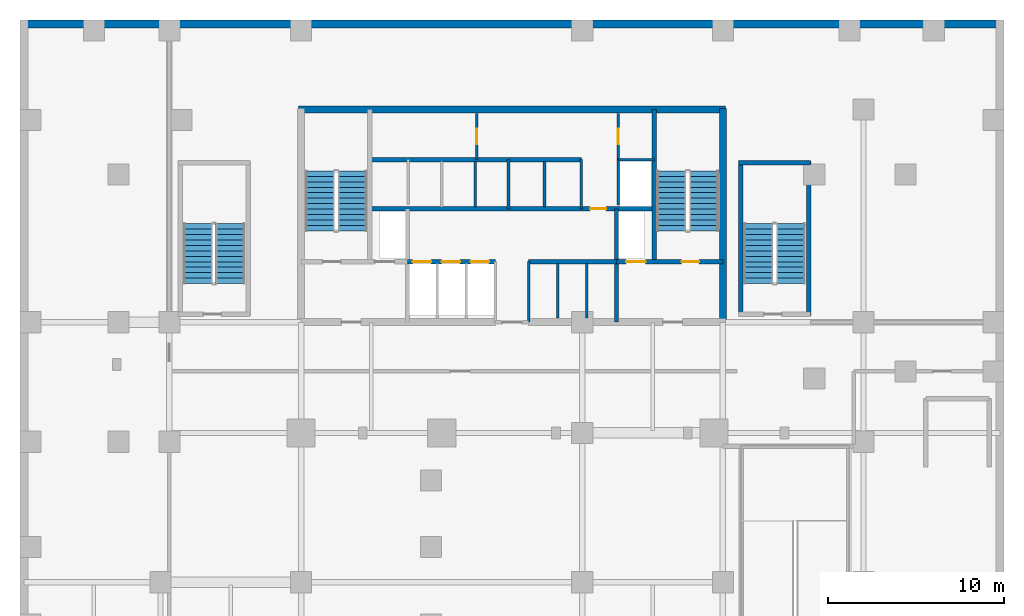
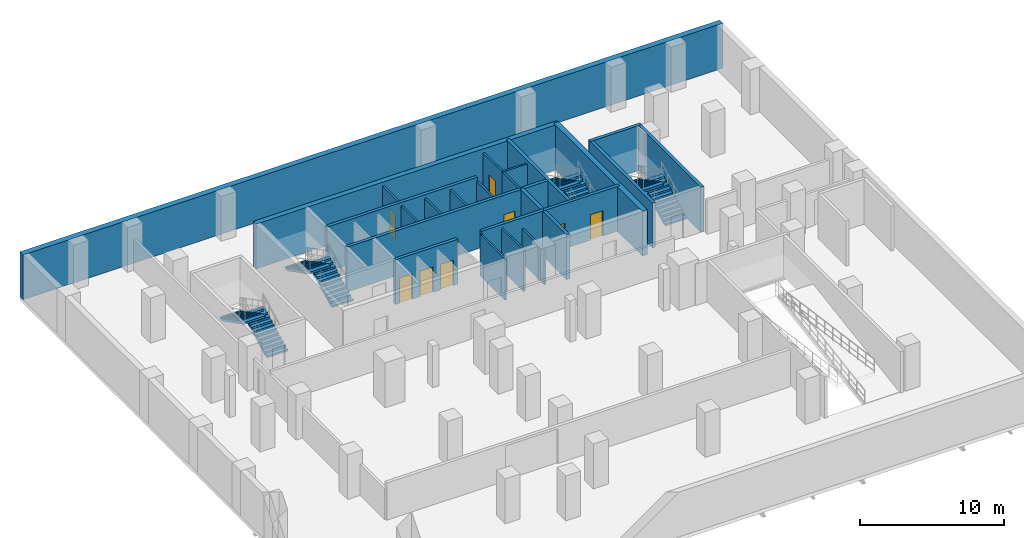
# One storey, part 3 of 5: 24 walls, 8 doors, 8 stair flights, 8 openings, 4 elements without a shape of their own.
"""IFC4 building model written with IfcOpenShell, lengths in metres."""

from ifc_helpers import new_model, si_unit, direction, frame, frame_2d, origin, place, context, subcontext, project, spatial, polyline, rectangle, outline, extrude, material, layer, layer_set, type_object, element, fill, aggregate, save


model = new_model("IFC4")

# Units and contexts
model_context = context("Model", 3, precision=1e-05, world=origin(), true_north=direction((0.0, 1.0)))
body_context = subcontext(model_context, "Body", "Model", "MODEL_VIEW")
ifc_project = project(units=[si_unit("LENGTHUNIT", "METRE"), si_unit("AREAUNIT", "SQUARE_METRE"), si_unit("VOLUMEUNIT", "CUBIC_METRE"), si_unit("PLANEANGLEUNIT", "RADIAN"), si_unit("MASSUNIT", "GRAM", prefix="KILO")], contexts=[model_context])

# Site, building, storey
site_placement = place(None, origin())
site = spatial("IfcSite", under=ifc_project, at=site_placement, CompositionType="ELEMENT")
building_placement = place(site_placement, origin())
building = spatial("IfcBuilding", under=site, at=building_placement, Name="Catumbela Crestline Tower", CompositionType="ELEMENT")
storey_placement = place(building_placement, frame((0.0, 0.0, -9.4)))
storey = spatial("IfcBuildingStorey", under=building, at=storey_placement, Name="B02", CompositionType="ELEMENT", Elevation=-9.4)

# Walls
ifc_material_1 = material(Name="Concrete C50/60", Category="concrete")
ifc_layer_1 = layer(ifc_material_1, 0.25, Name="Concrete C50/60")
ifc_layer_set_1 = layer_set([ifc_layer_1], Name="Concrete C50/60")
wall_type_1 = type_object("IfcWallType", Name="CW-250D", PredefinedType="SHEAR", material=ifc_layer_set_1)
wall_1_placement = place(storey_placement, frame((36.1, 34.25, 0.0), z_axis=(0.0, 0.0, 1.0), x_axis=(0.0, 1.0, 0.0)))
element("IfcWall", 1, at=wall_1_placement, inside=storey, type_object=wall_type_1, Name="B02 Structural Core Shear Wall EWEB", PredefinedType="SHEAR", context=body_context, shape_type="SweptSolid", body=[
    extrude(rectangle(XDim=8.65, YDim=0.25, at=frame_2d((4.325, 0.0))), origin(), (0.0, 0.0, 1.0), 3.8),
])
wall_2_placement = place(storey_placement, frame((33.95, 30.8, 0.0), z_axis=(0.0, 0.0, 1.0), x_axis=(0.0, 1.0, 0.0)))
element("IfcWall", 2, at=wall_2_placement, inside=storey, type_object=wall_type_1, Name="B02 Structural Core Shear Wall FFE", PredefinedType="SHEAR", context=body_context, shape_type="SweptSolid", body=[
    extrude(rectangle(XDim=6.45, YDim=0.25, at=frame_2d((3.225, 0.0))), origin(), (0.0, 0.0, 1.0), 3.8),
])

# Wall, openings, doors
wall_3_placement = place(storey_placement, frame((33.95, 34.25, 0.0), z_axis=(0.0, 0.0, 1.0), x_axis=(1.0, 0.0, 0.0)))
wall_3 = element("IfcWall", 3, at=wall_3_placement, inside=storey, type_object=wall_type_1, Name="B02 Structural Core Shear Wall ST2S", PredefinedType="SHEAR", context=body_context, shape_type="SweptSolid", body=[
    extrude(rectangle(XDim=6.05, YDim=0.25, at=frame_2d((3.025, 0.0))), origin(), (0.0, 0.0, 1.0), 3.8),
])
opening_1_placement = place(wall_3_placement, frame((3.7, 0.0, 0.0)))
opening_1 = element("IfcOpeningElement", 4, at=opening_1_placement, cuts=wall_3, Name="Opening DF9-100", PredefinedType="OPENING", context=body_context, shape_type="SweptSolid", body=[
    extrude(rectangle(XDim=1.0, YDim=2.15, at=frame_2d((0.5, 1.075))), frame((0.0, 0.135, 0.0), z_axis=(0.0, -1.0, 0.0), x_axis=(1.0, 0.0, 0.0)), (0.0, 0.0, 1.0), 0.27),
])
opening_2_placement = place(wall_3_placement, frame((0.55, 0.0, 0.0)))
opening_2 = element("IfcOpeningElement", 5, at=opening_2_placement, cuts=wall_3, Name="Opening LD-110", PredefinedType="OPENING", context=body_context, shape_type="SweptSolid", body=[
    extrude(rectangle(XDim=1.1, YDim=2.15, at=frame_2d((0.55, 1.075))), frame((0.0, 0.135, 0.0), z_axis=(0.0, -1.0, 0.0), x_axis=(1.0, 0.0, 0.0)), (0.0, 0.0, 1.0), 0.27),
])
ifc_material_2 = material(Name="Stainless steel EN 1.4401", Category="steel")
door_type_1 = type_object("IfcDoorType", Name="DF9-100", OperationType="NOTDEFINED", PredefinedType="DOOR", material=ifc_material_2)
door_1_placement = place(opening_1_placement, origin())
door_1 = element("IfcDoor", 6, at=door_1_placement, inside=storey, type_object=door_type_1, Name="B02 Interior Door DR-B02-ST02", OperationType="SINGLE_SWING_RIGHT", OverallHeight=2.15, OverallWidth=1.0, PredefinedType="DOOR", context=body_context, shape_type="SweptSolid", body=[
    extrude(rectangle(XDim=1.0, YDim=2.15, at=frame_2d((0.5, 1.075))), frame((0.0, 0.025, 0.0), z_axis=(0.0, -1.0, 0.0), x_axis=(1.0, 0.0, 0.0)), (0.0, 0.0, 1.0), 0.05),
])
fill(opening_1, door_1)
door_type_2 = type_object("IfcDoorType", Name="LD-110", OperationType="NOTDEFINED", PredefinedType="DOOR", material=ifc_material_2)
door_2_placement = place(opening_2_placement, origin())
door_2 = element("IfcDoor", 7, at=door_2_placement, inside=storey, type_object=door_type_2, Name="B02 Lift Landing Sliding Door FL-02", OperationType="DOUBLE_DOOR_SLIDING", OverallHeight=2.15, OverallWidth=1.1, PredefinedType="DOOR", context=body_context, shape_type="SweptSolid", body=[
    extrude(rectangle(XDim=1.1, YDim=2.15, at=frame_2d((0.55, 1.075))), frame((0.0, 0.025, 0.0), z_axis=(0.0, -1.0, 0.0), x_axis=(1.0, 0.0, 0.0)), (0.0, 0.0, 1.0), 0.05),
])
fill(opening_2, door_2)

wall_4_placement = place(storey_placement, frame((22.05, 34.25, 0.0), z_axis=(0.0, 0.0, 1.0), x_axis=(1.0, 0.0, 0.0)))
wall_4 = element("IfcWall", 8, at=wall_4_placement, inside=storey, type_object=wall_type_1, Name="B02 Structural Core Shear Wall LIFTS-W", PredefinedType="SHEAR", context=body_context, shape_type="SweptSolid", body=[
    extrude(rectangle(XDim=5.0, YDim=0.25, at=frame_2d((2.5, 0.0))), origin(), (0.0, 0.0, 1.0), 3.8),
])
opening_3_placement = place(wall_4_placement, frame((0.3, 0.0, 0.0)))
opening_3 = element("IfcOpeningElement", 9, at=opening_3_placement, cuts=wall_4, Name="Opening LD-105", PredefinedType="OPENING", context=body_context, shape_type="SweptSolid", body=[
    extrude(rectangle(XDim=1.05, YDim=2.15, at=frame_2d((0.525, 1.075))), frame((0.0, 0.135, 0.0), z_axis=(0.0, -1.0, 0.0), x_axis=(1.0, 0.0, 0.0)), (0.0, 0.0, 1.0), 0.27),
])
opening_4_placement = place(wall_4_placement, frame((1.95, 0.0, 0.0)))
opening_4 = element("IfcOpeningElement", 10, at=opening_4_placement, cuts=wall_4, Name="Opening LD-105", PredefinedType="OPENING", context=body_context, shape_type="SweptSolid", body=[
    extrude(rectangle(XDim=1.05, YDim=2.15, at=frame_2d((0.525, 1.075))), frame((0.0, 0.135, 0.0), z_axis=(0.0, -1.0, 0.0), x_axis=(1.0, 0.0, 0.0)), (0.0, 0.0, 1.0), 0.27),
])
opening_5_placement = place(wall_4_placement, frame((3.6, 0.0, 0.0)))
opening_5 = element("IfcOpeningElement", 11, at=opening_5_placement, cuts=wall_4, Name="Opening LD-105", PredefinedType="OPENING", context=body_context, shape_type="SweptSolid", body=[
    extrude(rectangle(XDim=1.05, YDim=2.15, at=frame_2d((0.525, 1.075))), frame((0.0, 0.135, 0.0), z_axis=(0.0, -1.0, 0.0), x_axis=(1.0, 0.0, 0.0)), (0.0, 0.0, 1.0), 0.27),
])
door_type_3 = type_object("IfcDoorType", Name="LD-105", OperationType="NOTDEFINED", PredefinedType="DOOR", material=ifc_material_2)
door_3_placement = place(opening_3_placement, origin())
door_3 = element("IfcDoor", 12, at=door_3_placement, inside=storey, type_object=door_type_3, Name="B02 Lift Landing Sliding Door PL-L1", OperationType="DOUBLE_DOOR_SLIDING", OverallHeight=2.15, OverallWidth=1.05, PredefinedType="DOOR", context=body_context, shape_type="SweptSolid", body=[
    extrude(rectangle(XDim=1.05, YDim=2.15, at=frame_2d((0.525, 1.075))), frame((0.0, 0.025, 0.0), z_axis=(0.0, -1.0, 0.0), x_axis=(1.0, 0.0, 0.0)), (0.0, 0.0, 1.0), 0.05),
])
fill(opening_3, door_3)
door_4_placement = place(opening_4_placement, origin())
door_4 = element("IfcDoor", 13, at=door_4_placement, inside=storey, type_object=door_type_3, Name="B02 Lift Landing Sliding Door PL-L2", OperationType="DOUBLE_DOOR_SLIDING", OverallHeight=2.15, OverallWidth=1.05, PredefinedType="DOOR", context=body_context, shape_type="SweptSolid", body=[
    extrude(rectangle(XDim=1.05, YDim=2.15, at=frame_2d((0.525, 1.075))), frame((0.0, 0.025, 0.0), z_axis=(0.0, -1.0, 0.0), x_axis=(1.0, 0.0, 0.0)), (0.0, 0.0, 1.0), 0.05),
])
fill(opening_4, door_4)
door_5_placement = place(opening_5_placement, origin())
door_5 = element("IfcDoor", 14, at=door_5_placement, inside=storey, type_object=door_type_3, Name="B02 Lift Landing Sliding Door PL-L3", OperationType="DOUBLE_DOOR_SLIDING", OverallHeight=2.15, OverallWidth=1.05, PredefinedType="DOOR", context=body_context, shape_type="SweptSolid", body=[
    extrude(rectangle(XDim=1.05, YDim=2.15, at=frame_2d((0.525, 1.075))), frame((0.0, 0.025, 0.0), z_axis=(0.0, -1.0, 0.0), x_axis=(1.0, 0.0, 0.0)), (0.0, 0.0, 1.0), 0.05),
])
fill(opening_5, door_5)

# Wall
wall_5_placement = place(storey_placement, frame((28.95, 34.25, 0.0), z_axis=(0.0, 0.0, 1.0), x_axis=(1.0, 0.0, 0.0)))
element("IfcWall", 15, at=wall_5_placement, inside=storey, type_object=wall_type_1, Name="B02 Structural Core Shear Wall LIFTS-E", PredefinedType="SHEAR", context=body_context, shape_type="SweptSolid", body=[
    extrude(rectangle(XDim=5.0, YDim=0.25, at=frame_2d((2.5, 0.0))), origin(), (0.0, 0.0, 1.0), 3.8),
])

# Wall, opening, door
wall_6_placement = place(storey_placement, frame((19.9, 37.25, 0.0), z_axis=(0.0, 0.0, 1.0), x_axis=(1.0, 0.0, 0.0)))
wall_6 = element("IfcWall", 16, at=wall_6_placement, inside=storey, type_object=wall_type_1, Name="B02 Structural Core Shear Wall LIFTN", PredefinedType="SHEAR", context=body_context, shape_type="SweptSolid", body=[
    extrude(rectangle(XDim=16.2, YDim=0.25, at=frame_2d((8.1, 0.0))), origin(), (0.0, 0.0, 1.0), 3.8),
])
opening_6_placement = place(wall_6_placement, frame((12.55, 0.0, 0.0)))
opening_6 = element("IfcOpeningElement", 17, at=opening_6_placement, cuts=wall_6, Name="Opening DF9-090", PredefinedType="OPENING", context=body_context, shape_type="SweptSolid", body=[
    extrude(rectangle(XDim=0.9, YDim=2.15, at=frame_2d((0.45, 1.075))), frame((0.0, 0.135, 0.0), z_axis=(0.0, -1.0, 0.0), x_axis=(1.0, 0.0, 0.0)), (0.0, 0.0, 1.0), 0.27),
])
door_type_4 = type_object("IfcDoorType", Name="DF9-090", OperationType="NOTDEFINED", PredefinedType="DOOR", material=ifc_material_2)
door_6_placement = place(opening_6_placement, origin())
door_6 = element("IfcDoor", 18, at=door_6_placement, inside=storey, type_object=door_type_4, Name="B02 Interior Door DR-B02-CPAS1", OperationType="SINGLE_SWING_LEFT", OverallHeight=2.15, OverallWidth=0.9, PredefinedType="DOOR", context=body_context, shape_type="SweptSolid", body=[
    extrude(rectangle(XDim=0.9, YDim=2.15, at=frame_2d((0.45, 1.075))), frame((0.0, 0.025, 0.0), z_axis=(0.0, -1.0, 0.0), x_axis=(1.0, 0.0, 0.0)), (0.0, 0.0, 1.0), 0.05),
])
fill(opening_6, door_6)

# Walls
wall_7_placement = place(storey_placement, frame((19.9, 40.05, 0.0), z_axis=(0.0, 0.0, 1.0), x_axis=(1.0, 0.0, 0.0)))
element("IfcWall", 19, at=wall_7_placement, inside=storey, type_object=wall_type_1, Name="B02 Structural Core Shear Wall COREN", PredefinedType="SHEAR", context=body_context, shape_type="SweptSolid", body=[
    extrude(rectangle(XDim=12.05, YDim=0.25, at=frame_2d((6.025, 0.0))), origin(), (0.0, 0.0, 1.0), 3.8),
])
for number, where, z_axis, x_axis, name in (
    (20, (41.02, 31.15, 0.0), (0.0, 0.0, 1.0), (0.0, 1.0, 0.0), "B02 Structural Core Shear Wall ST4W"),
    (21, (44.88, 31.15, 0.0), (0.0, 0.0, 1.0), (0.0, 1.0, 0.0), "B02 Structural Core Shear Wall ST4E"),
):
    element("IfcWall", number, at=place(storey_placement, frame(where, z_axis=z_axis, x_axis=x_axis)), inside=storey, type_object=wall_type_1, Name=name, PredefinedType="SHEAR", context=body_context, shape_type="SweptSolid", body=[
        extrude(rectangle(XDim=8.8, YDim=0.25, at=frame_2d((4.4, 0.0))), origin(), (0.0, 0.0, 1.0), 3.8),
    ])
wall_8_placement = place(storey_placement, frame((40.9, 39.88, 0.0), z_axis=(0.0, 0.0, 1.0), x_axis=(1.0, 0.0, 0.0)))
element("IfcWall", 22, at=wall_8_placement, inside=storey, type_object=wall_type_1, Name="B02 Structural Core Shear Wall ST4N", PredefinedType="SHEAR", context=body_context, shape_type="SweptSolid", body=[
    extrude(rectangle(XDim=4.1, YDim=0.25, at=frame_2d((2.05, 0.0))), origin(), (0.0, 0.0, 1.0), 3.8),
])
ifc_material_3 = material(Name="Concrete C60/75", Category="concrete")
ifc_layer_2 = layer(ifc_material_3, 0.4, Name="Concrete C60/75")
ifc_layer_set_2 = layer_set([ifc_layer_2], Name="Concrete C60/75")
wall_type_2 = type_object("IfcWallType", Name="CW-400A", PredefinedType="SHEAR", material=ifc_layer_set_2)
wall_9_placement = place(storey_placement, frame((40.0, 30.65, 0.0), z_axis=(0.0, 0.0, 1.0), x_axis=(0.0, 1.0, 0.0)))
element("IfcWall", 23, at=wall_9_placement, inside=storey, type_object=wall_type_2, Name="B02 Structural Core Shear Wall E", PredefinedType="SHEAR", context=body_context, shape_type="SweptSolid", body=[
    extrude(rectangle(XDim=12.3, YDim=0.4, at=frame_2d((6.15, 0.0))), origin(), (0.0, 0.0, 1.0), 3.8),
])
wall_10_placement = place(storey_placement, frame((15.85, 42.9, 0.0), z_axis=(0.0, 0.0, 1.0), x_axis=(1.0, 0.0, 0.0)))
element("IfcWall", 24, at=wall_10_placement, inside=storey, type_object=wall_type_2, Name="B02 Structural Core Shear Wall N", PredefinedType="SHEAR", context=body_context, shape_type="SweptSolid", body=[
    extrude(rectangle(XDim=24.3, YDim=0.4, at=frame_2d((12.15, 0.0))), origin(), (0.0, 0.0, 1.0), 3.8),
])
ifc_material_4 = material(Name="Acoustic gypsum and mineral-wool partition")
ifc_layer_3 = layer(ifc_material_4, 0.15, Name="Acoustic gypsum and mineral-wool partition")
ifc_layer_set_3 = layer_set([ifc_layer_3], Name="Acoustic gypsum and mineral-wool partition")
wall_type_3 = type_object("IfcWallType", Name="WP-150", PredefinedType="PARTITIONING", material=ifc_layer_set_3)
wall_11_placement = place(storey_placement, frame((34.05, 40.05, 0.0), z_axis=(0.0, 0.0, 1.0), x_axis=(1.0, 0.0, 0.0)))
element("IfcWall", 25, at=wall_11_placement, inside=storey, type_object=wall_type_3, Name="B02 Interior Partition PW-B02-CR-ES", PredefinedType="PARTITIONING", context=body_context, shape_type="SweptSolid", body=[
    extrude(rectangle(XDim=2.05, YDim=0.15, at=frame_2d((1.025, 0.0))), origin(), (0.0, 0.0, 1.0), 3.49),
])

# Wall, opening, door
wall_12_placement = place(storey_placement, frame((34.05, 40.05, 0.0), z_axis=(0.0, 0.0, 1.0), x_axis=(0.0, 1.0, 0.0)))
wall_12 = element("IfcWall", 26, at=wall_12_placement, inside=storey, type_object=wall_type_3, Name="B02 Interior Partition PW-B02-CR-EW", PredefinedType="PARTITIONING", context=body_context, shape_type="SweptSolid", body=[
    extrude(rectangle(XDim=2.63, YDim=0.15, at=frame_2d((1.315, 0.0))), origin(), (0.0, 0.0, 1.0), 3.49),
])
opening_7_placement = place(wall_12_placement, frame((0.865, 0.0, 0.0)))
opening_7 = element("IfcOpeningElement", 27, at=opening_7_placement, cuts=wall_12, Name="Opening DF9-090", PredefinedType="OPENING", context=body_context, shape_type="SweptSolid", body=[
    extrude(rectangle(XDim=0.9, YDim=2.15, at=frame_2d((0.45, 1.075))), frame((0.0, 0.085, 0.0), z_axis=(0.0, -1.0, 0.0), x_axis=(1.0, 0.0, 0.0)), (0.0, 0.0, 1.0), 0.17),
])
door_7_placement = place(opening_7_placement, origin())
door_7 = element("IfcDoor", 28, at=door_7_placement, inside=storey, type_object=door_type_4, Name="B02 Interior Door DR-B02-CREAST", OperationType="SINGLE_SWING_RIGHT", OverallHeight=2.15, OverallWidth=0.9, PredefinedType="DOOR", context=body_context, shape_type="SweptSolid", body=[
    extrude(rectangle(XDim=0.9, YDim=2.15, at=frame_2d((0.45, 1.075))), frame((0.0, 0.025, 0.0), z_axis=(0.0, -1.0, 0.0), x_axis=(1.0, 0.0, 0.0)), (0.0, 0.0, 1.0), 0.05),
])
fill(opening_7, door_7)

wall_13_placement = place(storey_placement, frame((26.0, 40.05, 0.0), z_axis=(0.0, 0.0, 1.0), x_axis=(0.0, 1.0, 0.0)))
wall_13 = element("IfcWall", 29, at=wall_13_placement, inside=storey, type_object=wall_type_3, Name="B02 Interior Partition PW-B02-CR-WW", PredefinedType="PARTITIONING", context=body_context, shape_type="SweptSolid", body=[
    extrude(rectangle(XDim=2.63, YDim=0.15, at=frame_2d((1.315, 0.0))), origin(), (0.0, 0.0, 1.0), 3.49),
])
opening_8_placement = place(wall_13_placement, frame((0.865, 0.0, 0.0)))
opening_8 = element("IfcOpeningElement", 30, at=opening_8_placement, cuts=wall_13, Name="Opening DF9-090", PredefinedType="OPENING", context=body_context, shape_type="SweptSolid", body=[
    extrude(rectangle(XDim=0.9, YDim=2.15, at=frame_2d((0.45, 1.075))), frame((0.0, 0.085, 0.0), z_axis=(0.0, -1.0, 0.0), x_axis=(1.0, 0.0, 0.0)), (0.0, 0.0, 1.0), 0.17),
])
door_8_placement = place(opening_8_placement, origin())
door_8 = element("IfcDoor", 31, at=door_8_placement, inside=storey, type_object=door_type_4, Name="B02 Interior Door DR-B02-CRWEST", OperationType="SINGLE_SWING_LEFT", OverallHeight=2.15, OverallWidth=0.9, PredefinedType="DOOR", context=body_context, shape_type="SweptSolid", body=[
    extrude(rectangle(XDim=0.9, YDim=2.15, at=frame_2d((0.45, 1.075))), frame((0.0, 0.025, 0.0), z_axis=(0.0, -1.0, 0.0), x_axis=(1.0, 0.0, 0.0)), (0.0, 0.0, 1.0), 0.05),
])
fill(opening_8, door_8)

# Walls
ifc_layer_4 = layer(ifc_material_1, 0.45, Name="Concrete C50/60")
ifc_layer_set_4 = layer_set([ifc_layer_4], Name="Concrete C50/60")
wall_type_4 = type_object("IfcWallType", Name="RW-450", PredefinedType="USERDEFINED", material=ifc_layer_set_4)
wall_14_placement = place(storey_placement, frame((0.0, 47.775, 0.0), z_axis=(0.0, 0.0, 1.0), x_axis=(1.0, 0.0, 0.0)))
element("IfcWall", 32, at=wall_14_placement, inside=storey, type_object=wall_type_4, Name="B02 Perimeter Diaphragm Retaining Wall N", ObjectType="RETAINING", PredefinedType="USERDEFINED", context=body_context, shape_type="SweptSolid", body=[
    extrude(rectangle(XDim=56.0, YDim=0.45, at=frame_2d((28.0, 0.0))), origin(), (0.0, 0.0, 1.0), 3.8),
])
ifc_layer_5 = layer(ifc_material_4, 0.15, Name="Acoustic gypsum and mineral-wool partition")
ifc_layer_set_5 = layer_set([ifc_layer_5], Name="Acoustic gypsum and mineral-wool partition")
wall_type_5 = type_object("IfcWallType", Name="WS-150", PredefinedType="PLUMBINGWALL", material=ifc_layer_set_5)
wall_15_placement = place(storey_placement, frame((28.95, 30.8, 0.0), z_axis=(0.0, 0.0, 1.0), x_axis=(0.0, 1.0, 0.0)))
element("IfcWall", 33, at=wall_15_placement, inside=storey, type_object=wall_type_5, Name="B02 Interior Partition PW-B02-THRE", PredefinedType="PLUMBINGWALL", context=body_context, shape_type="SweptSolid", body=[
    extrude(rectangle(XDim=3.45, YDim=0.15, at=frame_2d((1.725, 0.0))), origin(), (0.0, 0.0, 1.0), 3.49),
])
wall_16_placement = place(storey_placement, frame((30.6, 31.05, 0.0), z_axis=(0.0, 0.0, 1.0), x_axis=(0.0, 1.0, 0.0)))
element("IfcWall", 34, at=wall_16_placement, inside=storey, type_object=wall_type_5, Name="B02 Interior Partition PW-B02-SHM1", PredefinedType="PLUMBINGWALL", context=body_context, shape_type="SweptSolid", body=[
    extrude(rectangle(XDim=3.1, YDim=0.15, at=frame_2d((1.55, 0.0))), origin(), (0.0, 0.0, 1.0), 3.49),
])
wall_17_placement = place(storey_placement, frame((32.25, 31.05, 0.0), z_axis=(0.0, 0.0, 1.0), x_axis=(0.0, 1.0, 0.0)))
element("IfcWall", 35, at=wall_17_placement, inside=storey, type_object=wall_type_5, Name="B02 Interior Partition PW-B02-SHM2", PredefinedType="PLUMBINGWALL", context=body_context, shape_type="SweptSolid", body=[
    extrude(rectangle(XDim=3.1, YDim=0.15, at=frame_2d((1.55, 0.0))), origin(), (0.0, 0.0, 1.0), 2.88),
])
wall_18_placement = place(storey_placement, frame((27.8, 37.25, 0.0), z_axis=(0.0, 0.0, 1.0), x_axis=(0.0, 1.0, 0.0)))
element("IfcWall", 36, at=wall_18_placement, inside=storey, type_object=wall_type_5, Name="B02 Interior Partition PW-B02-SHH3", PredefinedType="PLUMBINGWALL", context=body_context, shape_type="SweptSolid", body=[
    extrude(rectangle(XDim=2.8, YDim=0.15, at=frame_2d((1.4, 0.0))), origin(), (0.0, 0.0, 1.0), 3.49),
])
wall_19_placement = place(storey_placement, frame((25.9, 37.35, 0.0), z_axis=(0.0, 0.0, 1.0), x_axis=(0.0, 1.0, 0.0)))
element("IfcWall", 37, at=wall_19_placement, inside=storey, type_object=wall_type_5, Name="B02 Interior Partition PW-B02-SHH2", PredefinedType="PLUMBINGWALL", context=body_context, shape_type="SweptSolid", body=[
    extrude(rectangle(XDim=2.6, YDim=0.15, at=frame_2d((1.3, 0.0))), origin(), (0.0, 0.0, 1.0), 3.49),
])
wall_20_placement = place(storey_placement, frame((31.95, 37.25, 0.0), z_axis=(0.0, 0.0, 1.0), x_axis=(0.0, 1.0, 0.0)))
element("IfcWall", 38, at=wall_20_placement, inside=storey, type_object=wall_type_5, Name="B02 Interior Partition PW-B02-SHEX2E", PredefinedType="PLUMBINGWALL", context=body_context, shape_type="SweptSolid", body=[
    extrude(rectangle(XDim=2.8, YDim=0.15, at=frame_2d((1.4, 0.0))), origin(), (0.0, 0.0, 1.0), 3.49),
])
wall_21_placement = place(storey_placement, frame((29.85, 37.35, 0.0), z_axis=(0.0, 0.0, 1.0), x_axis=(0.0, 1.0, 0.0)))
element("IfcWall", 39, at=wall_21_placement, inside=storey, type_object=wall_type_5, Name="B02 Interior Partition PW-B02-SHEX1", PredefinedType="PLUMBINGWALL", context=body_context, shape_type="SweptSolid", body=[
    extrude(rectangle(XDim=2.6, YDim=0.15, at=frame_2d((1.3, 0.0))), origin(), (0.0, 0.0, 1.0), 3.49),
])
wall_22_placement = place(storey_placement, frame((34.05, 37.4734, 0.0), z_axis=(0.0, 0.0, 1.0), x_axis=(0.0, 1.0, 0.0)))
element("IfcWall", 40, at=wall_22_placement, inside=storey, type_object=wall_type_5, Name="B02 Interior Partition PW-B02-RISW", PredefinedType="PLUMBINGWALL", context=body_context, shape_type="SweptSolid", body=[
    extrude(rectangle(XDim=2.5766, YDim=0.15, at=frame_2d((1.2883, 0.0))), origin(), (0.0, 0.0, 1.0), 3.49),
])

# Stair, stair flights
ifc_material_5 = material(Name="Concrete C45/55", Category="concrete")
stair_type = type_object("IfcStairType", Name="ST-DLG", PredefinedType="HALF_TURN_STAIR", material=ifc_material_5)
stair_1_placement = place(storey_placement, origin())
stair_1 = element("IfcStair", 41, at=stair_1_placement, inside=storey, type_object=stair_type, Name="B02 West Core Pressurised Exit Stair ST-01", PredefinedType="HALF_TURN_STAIR")
stair_flight_type = type_object("IfcStairFlightType", Name="SF-1583", PredefinedType="STRAIGHT", material=ifc_material_5)
stair_flight_1_placement = place(storey_placement, frame((18.92, 36.0, 0.0), z_axis=(0.0, 0.0, 1.0), x_axis=(0.0, 1.0, 0.0)))
stair_flight_1 = element("IfcStairFlight", 42, at=stair_flight_1_placement, type_object=stair_flight_type, Name="ST-01 flight 1", NumberOfRisers=12, NumberOfTreads=11, PredefinedType="STRAIGHT", RiserHeight=0.158333333, TreadLength=0.31, context=body_context, shape_type="SweptSolid", body=[
    extrude(outline(polyline([(0.0, 0.0), (0.0, 0.1583), (0.31, 0.1583), (0.31, 0.3167), (0.62, 0.3167), (0.62, 0.475), (0.93, 0.475), (0.93, 0.6333), (1.24, 0.6333), (1.24, 0.7917), (1.55, 0.7917), (1.55, 0.95), (1.86, 0.95), (1.86, 1.1083), (2.17, 1.1083), (2.17, 1.2667), (2.48, 1.2667), (2.48, 1.425), (2.79, 1.425), (2.79, 1.5833), (3.1, 1.5833), (3.1, 1.7417), (3.41, 1.7417), (3.41, 1.9), (3.41, 1.562), (0.3518, 0.0), (0.0, 0.0)])), frame((0.0, 0.83, 0.0), z_axis=(0.0, -1.0, 0.0), x_axis=(1.0, 0.0, 0.0)), (0.0, 0.0, 1.0), 1.66),
])
stair_flight_2_placement = place(storey_placement, frame((17.08, 39.41, 1.9), z_axis=(0.0, 0.0, 1.0), x_axis=(0.0, -1.0, 0.0)))
stair_flight_2 = element("IfcStairFlight", 43, at=stair_flight_2_placement, type_object=stair_flight_type, Name="ST-01 flight 2", NumberOfRisers=12, NumberOfTreads=11, PredefinedType="STRAIGHT", RiserHeight=0.158333333, TreadLength=0.31, context=body_context, shape_type="SweptSolid", body=[
    extrude(outline(polyline([(0.0, 0.0), (0.0, 0.1583), (0.31, 0.1583), (0.31, 0.3167), (0.62, 0.3167), (0.62, 0.475), (0.93, 0.475), (0.93, 0.6333), (1.24, 0.6333), (1.24, 0.7917), (1.55, 0.7917), (1.55, 0.95), (1.86, 0.95), (1.86, 1.1083), (2.17, 1.1083), (2.17, 1.2667), (2.48, 1.2667), (2.48, 1.425), (2.79, 1.425), (2.79, 1.5833), (3.1, 1.5833), (3.1, 1.7417), (3.41, 1.7417), (3.41, 1.9), (3.41, 1.562), (0.3518, 0.0), (0.0, 0.0)])), frame((0.0, 0.83, 0.0), z_axis=(0.0, -1.0, 0.0), x_axis=(1.0, 0.0, 0.0)), (0.0, 0.0, 1.0), 1.66),
])
aggregate(stair_1, [stair_flight_1, stair_flight_2])

stair_2_placement = place(storey_placement, origin())
stair_2 = element("IfcStair", 44, at=stair_2_placement, inside=storey, type_object=stair_type, Name="B02 East Core Pressurised Exit Stair ST-02", PredefinedType="HALF_TURN_STAIR")
stair_flight_3_placement = place(storey_placement, frame((38.92, 36.0, 0.0), z_axis=(0.0, 0.0, 1.0), x_axis=(0.0, 1.0, 0.0)))
stair_flight_3 = element("IfcStairFlight", 45, at=stair_flight_3_placement, type_object=stair_flight_type, Name="ST-02 flight 1", NumberOfRisers=12, NumberOfTreads=11, PredefinedType="STRAIGHT", RiserHeight=0.158333333, TreadLength=0.31, context=body_context, shape_type="SweptSolid", body=[
    extrude(outline(polyline([(0.0, 0.0), (0.0, 0.1583), (0.31, 0.1583), (0.31, 0.3167), (0.62, 0.3167), (0.62, 0.475), (0.93, 0.475), (0.93, 0.6333), (1.24, 0.6333), (1.24, 0.7917), (1.55, 0.7917), (1.55, 0.95), (1.86, 0.95), (1.86, 1.1083), (2.17, 1.1083), (2.17, 1.2667), (2.48, 1.2667), (2.48, 1.425), (2.79, 1.425), (2.79, 1.5833), (3.1, 1.5833), (3.1, 1.7417), (3.41, 1.7417), (3.41, 1.9), (3.41, 1.562), (0.3518, 0.0), (0.0, 0.0)])), frame((0.0, 0.83, 0.0), z_axis=(0.0, -1.0, 0.0), x_axis=(1.0, 0.0, 0.0)), (0.0, 0.0, 1.0), 1.66),
])
stair_flight_4_placement = place(storey_placement, frame((37.08, 39.41, 1.9), z_axis=(0.0, 0.0, 1.0), x_axis=(0.0, -1.0, 0.0)))
stair_flight_4 = element("IfcStairFlight", 46, at=stair_flight_4_placement, type_object=stair_flight_type, Name="ST-02 flight 2", NumberOfRisers=12, NumberOfTreads=11, PredefinedType="STRAIGHT", RiserHeight=0.158333333, TreadLength=0.31, context=body_context, shape_type="SweptSolid", body=[
    extrude(outline(polyline([(0.0, 0.0), (0.0, 0.1583), (0.31, 0.1583), (0.31, 0.3167), (0.62, 0.3167), (0.62, 0.475), (0.93, 0.475), (0.93, 0.6333), (1.24, 0.6333), (1.24, 0.7917), (1.55, 0.7917), (1.55, 0.95), (1.86, 0.95), (1.86, 1.1083), (2.17, 1.1083), (2.17, 1.2667), (2.48, 1.2667), (2.48, 1.425), (2.79, 1.425), (2.79, 1.5833), (3.1, 1.5833), (3.1, 1.7417), (3.41, 1.7417), (3.41, 1.9), (3.41, 1.562), (0.3518, 0.0), (0.0, 0.0)])), frame((0.0, 0.83, 0.0), z_axis=(0.0, -1.0, 0.0), x_axis=(1.0, 0.0, 0.0)), (0.0, 0.0, 1.0), 1.66),
])
aggregate(stair_2, [stair_flight_3, stair_flight_4])

stair_3_placement = place(storey_placement, origin())
stair_3 = element("IfcStair", 47, at=stair_3_placement, inside=storey, type_object=stair_type, Name="B02 South-West Podium Exit Stair ST-03", PredefinedType="HALF_TURN_STAIR")
stair_flight_5_placement = place(storey_placement, frame((11.97, 33.0, 0.0), z_axis=(0.0, 0.0, 1.0), x_axis=(0.0, 1.0, 0.0)))
stair_flight_5 = element("IfcStairFlight", 48, at=stair_flight_5_placement, type_object=stair_flight_type, Name="ST-03 flight 1", NumberOfRisers=12, NumberOfTreads=11, PredefinedType="STRAIGHT", RiserHeight=0.158333333, TreadLength=0.31, context=body_context, shape_type="SweptSolid", body=[
    extrude(outline(polyline([(0.0, 0.0), (0.0, 0.1583), (0.31, 0.1583), (0.31, 0.3167), (0.62, 0.3167), (0.62, 0.475), (0.93, 0.475), (0.93, 0.6333), (1.24, 0.6333), (1.24, 0.7917), (1.55, 0.7917), (1.55, 0.95), (1.86, 0.95), (1.86, 1.1083), (2.17, 1.1083), (2.17, 1.2667), (2.48, 1.2667), (2.48, 1.425), (2.79, 1.425), (2.79, 1.5833), (3.1, 1.5833), (3.1, 1.7417), (3.41, 1.7417), (3.41, 1.9), (3.41, 1.562), (0.3518, 0.0), (0.0, 0.0)])), frame((0.0, 0.83, 0.0), z_axis=(0.0, -1.0, 0.0), x_axis=(1.0, 0.0, 0.0)), (0.0, 0.0, 1.0), 1.66),
])
stair_flight_6_placement = place(storey_placement, frame((10.13, 36.41, 1.9), z_axis=(0.0, 0.0, 1.0), x_axis=(0.0, -1.0, 0.0)))
stair_flight_6 = element("IfcStairFlight", 49, at=stair_flight_6_placement, type_object=stair_flight_type, Name="ST-03 flight 2", NumberOfRisers=12, NumberOfTreads=11, PredefinedType="STRAIGHT", RiserHeight=0.158333333, TreadLength=0.31, context=body_context, shape_type="SweptSolid", body=[
    extrude(outline(polyline([(0.0, 0.0), (0.0, 0.1583), (0.31, 0.1583), (0.31, 0.3167), (0.62, 0.3167), (0.62, 0.475), (0.93, 0.475), (0.93, 0.6333), (1.24, 0.6333), (1.24, 0.7917), (1.55, 0.7917), (1.55, 0.95), (1.86, 0.95), (1.86, 1.1083), (2.17, 1.1083), (2.17, 1.2667), (2.48, 1.2667), (2.48, 1.425), (2.79, 1.425), (2.79, 1.5833), (3.1, 1.5833), (3.1, 1.7417), (3.41, 1.7417), (3.41, 1.9), (3.41, 1.562), (0.3518, 0.0), (0.0, 0.0)])), frame((0.0, 0.83, 0.0), z_axis=(0.0, -1.0, 0.0), x_axis=(1.0, 0.0, 0.0)), (0.0, 0.0, 1.0), 1.66),
])
aggregate(stair_3, [stair_flight_5, stair_flight_6])

stair_4_placement = place(storey_placement, origin())
stair_4 = element("IfcStair", 50, at=stair_4_placement, inside=storey, type_object=stair_type, Name="B02 East Galleria Podium Exit Stair ST-04", PredefinedType="HALF_TURN_STAIR")
stair_flight_7_placement = place(storey_placement, frame((43.87, 33.0, 0.0), z_axis=(0.0, 0.0, 1.0), x_axis=(0.0, 1.0, 0.0)))
stair_flight_7 = element("IfcStairFlight", 51, at=stair_flight_7_placement, type_object=stair_flight_type, Name="ST-04 flight 1", NumberOfRisers=12, NumberOfTreads=11, PredefinedType="STRAIGHT", RiserHeight=0.158333333, TreadLength=0.31, context=body_context, shape_type="SweptSolid", body=[
    extrude(outline(polyline([(0.0, 0.0), (0.0, 0.1583), (0.31, 0.1583), (0.31, 0.3167), (0.62, 0.3167), (0.62, 0.475), (0.93, 0.475), (0.93, 0.6333), (1.24, 0.6333), (1.24, 0.7917), (1.55, 0.7917), (1.55, 0.95), (1.86, 0.95), (1.86, 1.1083), (2.17, 1.1083), (2.17, 1.2667), (2.48, 1.2667), (2.48, 1.425), (2.79, 1.425), (2.79, 1.5833), (3.1, 1.5833), (3.1, 1.7417), (3.41, 1.7417), (3.41, 1.9), (3.41, 1.562), (0.3518, 0.0), (0.0, 0.0)])), frame((0.0, 0.83, 0.0), z_axis=(0.0, -1.0, 0.0), x_axis=(1.0, 0.0, 0.0)), (0.0, 0.0, 1.0), 1.66),
])
stair_flight_8_placement = place(storey_placement, frame((42.03, 36.41, 1.9), z_axis=(0.0, 0.0, 1.0), x_axis=(0.0, -1.0, 0.0)))
stair_flight_8 = element("IfcStairFlight", 52, at=stair_flight_8_placement, type_object=stair_flight_type, Name="ST-04 flight 2", NumberOfRisers=12, NumberOfTreads=11, PredefinedType="STRAIGHT", RiserHeight=0.158333333, TreadLength=0.31, context=body_context, shape_type="SweptSolid", body=[
    extrude(outline(polyline([(0.0, 0.0), (0.0, 0.1583), (0.31, 0.1583), (0.31, 0.3167), (0.62, 0.3167), (0.62, 0.475), (0.93, 0.475), (0.93, 0.6333), (1.24, 0.6333), (1.24, 0.7917), (1.55, 0.7917), (1.55, 0.95), (1.86, 0.95), (1.86, 1.1083), (2.17, 1.1083), (2.17, 1.2667), (2.48, 1.2667), (2.48, 1.425), (2.79, 1.425), (2.79, 1.5833), (3.1, 1.5833), (3.1, 1.7417), (3.41, 1.7417), (3.41, 1.9), (3.41, 1.562), (0.3518, 0.0), (0.0, 0.0)])), frame((0.0, 0.83, 0.0), z_axis=(0.0, -1.0, 0.0), x_axis=(1.0, 0.0, 0.0)), (0.0, 0.0, 1.0), 1.66),
])
aggregate(stair_4, [stair_flight_7, stair_flight_8])

save(model, "model.ifc")
